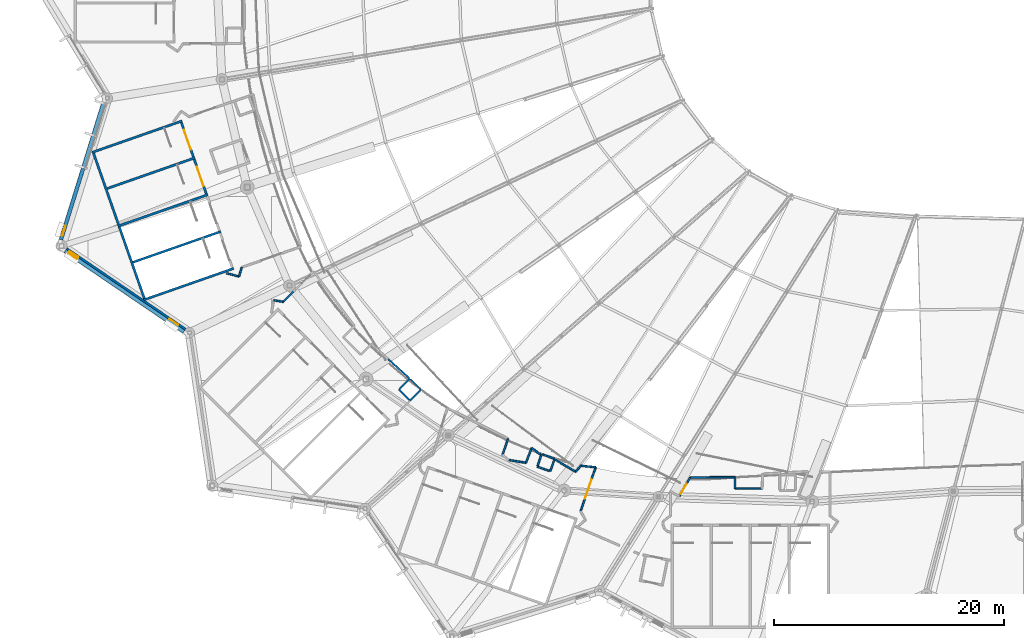
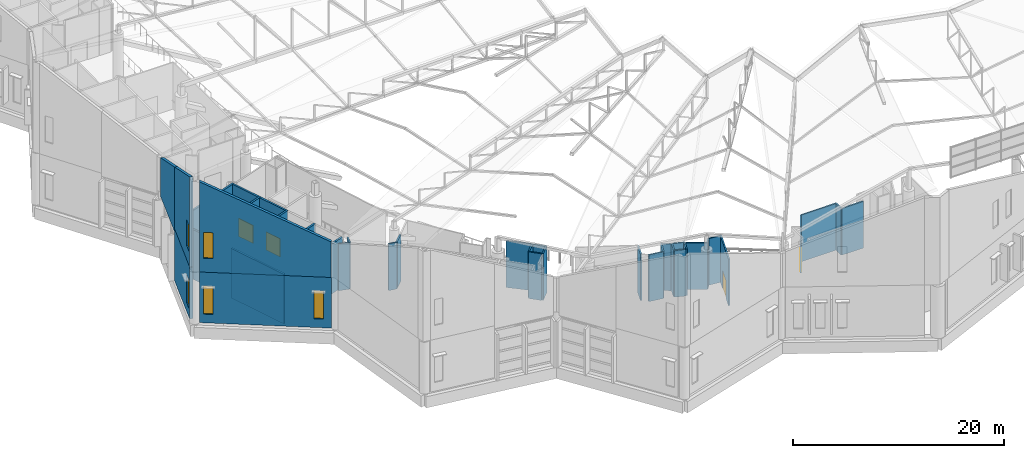
# One storey, part 244 of 344: 39 walls, 5 windows, 4 doors, 9 openings.
"""IFC4 building model written with IfcOpenShell, lengths in metres."""

from ifc_helpers import new_model, si_unit, direction, frame, frame_2d, origin, place, context, subcontext, project, spatial, polyline, rectangle, outline, extrude, material, layer, layer_set, type_object, element, fill, save


model = new_model("IFC4")

# Units and contexts
model_context = context("Model", 3, precision=1e-05, world=origin(), true_north=direction((0.0, 1.0)))
body_context = subcontext(model_context, "Body", "Model", "MODEL_VIEW")
ifc_project = project(units=[si_unit("LENGTHUNIT", "METRE"), si_unit("AREAUNIT", "SQUARE_METRE"), si_unit("VOLUMEUNIT", "CUBIC_METRE"), si_unit("PLANEANGLEUNIT", "RADIAN"), si_unit("MASSUNIT", "GRAM", prefix="KILO")], contexts=[model_context])

# Site, building, storey
site_placement = place(None, origin())
site = spatial("IfcSite", under=ifc_project, at=site_placement, CompositionType="ELEMENT")
building_placement = place(site_placement, origin())
building = spatial("IfcBuilding", under=site, at=building_placement, Name="Meseta Stadium", CompositionType="ELEMENT")
storey_placement = place(building_placement, frame((0.0, 0.0, 24.0)))
storey = spatial("IfcBuildingStorey", under=building, at=storey_placement, Name="L04", CompositionType="ELEMENT", Elevation=24.0)

# Walls
ifc_material_1 = material(Name="Concrete C40/50", Category="concrete")
ifc_layer_1 = layer(ifc_material_1, 0.199951171875)
ifc_layer_set_1 = layer_set([ifc_layer_1], Name="Core divider wall 200")
wall_type_1 = type_object("IfcWallType", Name="Core divider wall 200", PredefinedType="SHEAR", material=ifc_layer_set_1)
for number, where, z_axis, x_axis, name in (
    (1, (-94.505859375, -63.370849609375, 0.0), (0.0, 0.0, 1.0), (0.943878073457, 0.330294084791, 0.0), "Core 20 L04 stair A divider wall"),
    (2, (-92.260009765625, -69.789306640625, 0.0), (0.0, 0.0, 1.0), (0.943878073457, 0.330294084791, 0.0), "Core 20 L04 stair B divider wall"),
):
    element("IfcWall", number, at=place(storey_placement, frame(where, z_axis=z_axis, x_axis=x_axis)), inside=storey, type_object=wall_type_1, Name=name, PredefinedType="SHEAR", context=body_context, shape_type="SweptSolid", body=[
        extrude(rectangle(XDim=8.300048828125, YDim=0.199951171875, at=frame_2d((4.14990234375, 0.0))), origin(), (0.0, 0.0, 1.0), 5.75),
    ])
ifc_material_2 = material(Name="Concrete C40/50", Category="concrete")
ifc_layer_2 = layer(ifc_material_2, 0.199951171875)
ifc_layer_set_2 = layer_set([ifc_layer_2], Name="Core shaft wall 200")
wall_type_2 = type_object("IfcWallType", Name="Core shaft wall 200", PredefinedType="SHEAR", material=ifc_layer_set_2)
for number, where, z_axis, x_axis, name in (
    (3, (-95.62890625, -60.16162109375, 0.0), (0.0, 0.0, 1.0), (0.943887243331, 0.330267878966, 0.0), "Core 20 L04 stair wall A-side"),
    (4, (-93.3828125, -66.580078125, 0.0), (0.0, 0.0, 1.0), (0.943878073457, 0.330294084791, 0.0), "Core 20 L04 stair wall shared"),
    (5, (-91.136962890625, -72.998291015625, 0.0), (0.0, 0.0, 1.0), (0.943887243331, 0.330267878966, 0.0), "Core 20 L04 stair wall B-side"),
):
    element("IfcWall", number, at=place(storey_placement, frame(where, z_axis=z_axis, x_axis=x_axis)), inside=storey, type_object=wall_type_2, Name=name, PredefinedType="SHEAR", context=body_context, shape_type="SweptSolid", body=[
        extrude(rectangle(XDim=8.300048828125, YDim=0.199951171875, at=frame_2d((4.14990234375, 0.0))), origin(), (0.0, 0.0, 1.0), 5.75),
    ])
for number, where, z_axis, x_axis, name in (
    (6, (-95.50146484375, -60.222900390625, 0.0), (0.0, 0.0, 1.0), (0.330286164688, -0.943880844925, 0.0), "Core 20 L04 stair A outer end wall"),
    (7, (-93.255615234375, -66.641357421875, 0.0), (0.0, 0.0, 1.0), (0.330286164688, -0.943880844925, 0.0), "Core 20 L04 stair B outer end wall"),
):
    element("IfcWall", number, at=place(storey_placement, frame(where, z_axis=z_axis, x_axis=x_axis)), inside=storey, type_object=wall_type_2, Name=name, PredefinedType="SHEAR", context=body_context, shape_type="SweptSolid", body=[
        extrude(rectangle(XDim=6.60009765625, YDim=0.199951171875, at=frame_2d((3.300048828125, 0.0))), origin(), (0.0, 0.0, 1.0), 5.75),
    ])

# Wall, opening, door
wall_1_placement = place(storey_placement, frame((-87.85595703125, -57.547607421875, 0.0), z_axis=(0.0, 0.0, 1.0), x_axis=(0.330268863922, -0.943886898693, 0.0)))
wall_1 = element("IfcWall", 8, at=wall_1_placement, inside=storey, type_object=wall_type_2, Name="Core 20 L04 stair A1 inner end wall", PredefinedType="SHEAR", context=body_context, shape_type="SweptSolid", body=[
    extrude(rectangle(XDim=3.2001953125, YDim=0.199951171875, at=frame_2d((1.60009765625, 0.0))), origin(), (0.0, 0.0, 1.0), 5.75),
])
opening_1_placement = place(wall_1_placement, frame((0.699951171875, 0.0, 0.0)))
opening_1 = element("IfcOpeningElement", 9, at=opening_1_placement, cuts=wall_1, Name="Opening D1522", PredefinedType="OPENING", context=body_context, shape_type="SweptSolid", body=[
    extrude(rectangle(XDim=1.800048828125, YDim=2.10009765625, at=frame_2d((0.89990234375, 1.050048828125))), frame((0.0, 0.10986328125, 0.0), z_axis=(0.0, -1.0, 0.0), x_axis=(1.0, 0.0, 0.0)), (0.0, 0.0, 1.0), 0.219970703125),
])
ifc_material_3 = material(Name="Steel", Category="steel")
door_type_1 = type_object("IfcDoorType", Name="Stair door 1800x2100", OperationType="DOUBLE_DOOR_SINGLE_SWING", PredefinedType="DOOR", material=ifc_material_3)
door_1_placement = place(opening_1_placement, origin())
door_1 = element("IfcDoor", 10, at=door_1_placement, inside=storey, type_object=door_type_1, Name="Stair A1 door 20 L04", OperationType="DOUBLE_DOOR_SINGLE_SWING", OverallHeight=2.10009765625, OverallWidth=1.800048828125, PredefinedType="DOOR", context=body_context, shape_type="SweptSolid", body=[
    extrude(rectangle(XDim=1.800048828125, YDim=2.10009765625, at=frame_2d((0.89990234375, 1.050048828125))), frame((0.0, 0.02490234375, 0.0), z_axis=(0.0, -1.0, 0.0), x_axis=(1.0, 0.0, 0.0)), (0.0, 0.0, 1.0), 0.050048828125),
])
fill(opening_1, door_1)

wall_2_placement = place(storey_placement, frame((-86.73291015625, -60.7568359375, 0.0), z_axis=(0.0, 0.0, 1.0), x_axis=(0.330268863922, -0.943886898693, 0.0)))
wall_2 = element("IfcWall", 11, at=wall_2_placement, inside=storey, type_object=wall_type_2, Name="Core 20 L04 stair A2 inner end wall", PredefinedType="SHEAR", context=body_context, shape_type="SweptSolid", body=[
    extrude(rectangle(XDim=3.2001953125, YDim=0.199951171875, at=frame_2d((1.60009765625, 0.0))), origin(), (0.0, 0.0, 1.0), 5.75),
])
opening_2_placement = place(wall_2_placement, frame((0.699951171875, 0.0, 0.0)))
opening_2 = element("IfcOpeningElement", 12, at=opening_2_placement, cuts=wall_2, Name="Opening D1528", PredefinedType="OPENING", context=body_context, shape_type="SweptSolid", body=[
    extrude(rectangle(XDim=1.800048828125, YDim=2.10009765625, at=frame_2d((0.89990234375, 1.050048828125))), frame((0.0, 0.10986328125, 0.0), z_axis=(0.0, -1.0, 0.0), x_axis=(1.0, 0.0, 0.0)), (0.0, 0.0, 1.0), 0.219970703125),
])
door_2_placement = place(opening_2_placement, origin())
door_2 = element("IfcDoor", 13, at=door_2_placement, inside=storey, type_object=door_type_1, Name="Stair A2 door 20 L04", OperationType="DOUBLE_DOOR_SINGLE_SWING", OverallHeight=2.10009765625, OverallWidth=1.800048828125, PredefinedType="DOOR", context=body_context, shape_type="SweptSolid", body=[
    extrude(rectangle(XDim=1.800048828125, YDim=2.10009765625, at=frame_2d((0.89990234375, 1.050048828125))), frame((0.0, 0.02490234375, 0.0), z_axis=(0.0, -1.0, 0.0), x_axis=(1.0, 0.0, 0.0)), (0.0, 0.0, 1.0), 0.050048828125),
])
fill(opening_2, door_2)

# Walls
ifc_material_4 = material(Name="Masonry blockwork", Category="masonry")
ifc_layer_3 = layer(ifc_material_4, 0.14990234375)
ifc_layer_set_3 = layer_set([ifc_layer_3], Name="Partition 150")
wall_type_3 = type_object("IfcWallType", Name="Partition 150", PredefinedType="PARTITIONING", material=ifc_layer_set_3)
wall_3_placement = place(storey_placement, frame((-83.91943359375, -70.673583984375, 0.0), z_axis=(0.0, 0.0, 1.0), x_axis=(0.966256491935, -0.257581815726, 0.0)))
element("IfcWall", 14, at=wall_3_placement, inside=storey, type_object=wall_type_3, Name="Stair vestibule wall L04 core 20", PredefinedType="PARTITIONING", context=body_context, shape_type="SweptSolid", body=[
    extrude(rectangle(XDim=1.1279296875, YDim=0.14990234375, at=frame_2d((0.56396484375, 0.0))), origin(), (0.0, 0.0, 1.0), 5.39990234375),
])
wall_4_placement = place(storey_placement, frame((-82.82958984375, -70.964111328125, 0.0), z_axis=(0.0, 0.0, 1.0), x_axis=(0.273283276566, 0.961933599969, 0.0)))
element("IfcWall", 15, at=wall_4_placement, inside=storey, type_object=wall_type_3, Name="Stair vestibule wall L04 core 20", PredefinedType="PARTITIONING", context=body_context, shape_type="SweptSolid", body=[
    extrude(rectangle(XDim=0.829833984375, YDim=0.14990234375, at=frame_2d((0.4150390625, 0.0))), origin(), (0.0, 0.0, 1.0), 5.39990234375),
])
for number, where, z_axis, x_axis, name in (
    (16, (-68.917724609375, -80.802001953125, 0.0), (0.0, 0.0, 1.0), (0.707106781187, -0.707106781187, 0.0), "Pressurisation shaft wall L04 core 21"),
    (17, (-67.963134765625, -81.756591796875, 0.0), (0.0, 0.0, 1.0), (0.707106781187, 0.707106781187, 0.0), "Pressurisation shaft wall L04 core 21"),
    (18, (-67.008544921875, -80.802001953125, 0.0), (0.0, 0.0, 1.0), (-0.707106781187, 0.707106781187, 0.0), "Pressurisation shaft wall L04 core 21"),
):
    element("IfcWall", number, at=place(storey_placement, frame(where, z_axis=z_axis, x_axis=x_axis)), inside=storey, type_object=wall_type_3, Name=name, PredefinedType="PARTITIONING", context=body_context, shape_type="SweptSolid", body=[
        extrude(rectangle(XDim=1.275146484375, YDim=0.14990234375, at=frame_2d((0.6376953125, 0.0))), origin(), (0.0, 0.0, 1.0), 5.39990234375),
    ])
wall_5_placement = place(storey_placement, frame((-67.963134765625, -79.847412109375, 0.0), z_axis=(0.0, 0.0, 1.0), x_axis=(-0.707202523759, -0.707011025648, 0.0)))
element("IfcWall", 19, at=wall_5_placement, inside=storey, type_object=wall_type_3, Name="Pressurisation shaft wall L04 core 21", PredefinedType="PARTITIONING", context=body_context, shape_type="SweptSolid", body=[
    extrude(rectangle(XDim=1.27490234375, YDim=0.14990234375, at=frame_2d((0.637451171875, 0.0))), origin(), (0.0, 0.0, 1.0), 5.39990234375),
])
wall_6_placement = place(storey_placement, frame((-68.03369140625, -79.7919921875, 0.0), z_axis=(0.0, 0.0, 1.0), x_axis=(-0.742586219179, 0.669750481213, 0.0)))
element("IfcWall", 20, at=wall_6_placement, inside=storey, type_object=wall_type_3, Name="Stair vestibule wall L04 core 21", PredefinedType="PARTITIONING", context=body_context, shape_type="SweptSolid", body=[
    extrude(rectangle(XDim=2.45361328125, YDim=0.14990234375, at=frame_2d((1.226806640625, 0.0))), origin(), (0.0, 0.0, 1.0), 5.39990234375),
])
wall_7_placement = place(storey_placement, frame((-78.090576171875, -72.268798828125, 0.0), z_axis=(0.0, 0.0, 1.0), x_axis=(-0.707106781187, -0.707106781187, 0.0)))
element("IfcWall", 21, at=wall_7_placement, inside=storey, type_object=wall_type_3, Name="Stair vestibule wall L04 core 21", PredefinedType="PARTITIONING", context=body_context, shape_type="SweptSolid", body=[
    extrude(rectangle(XDim=1.271728515625, YDim=0.14990234375, at=frame_2d((0.6357421875, 0.0))), origin(), (0.0, 0.0, 1.0), 5.39990234375),
])
wall_8_placement = place(storey_placement, frame((-78.98974609375, -73.16796875, 0.0), z_axis=(0.0, 0.0, 1.0), x_axis=(-0.985216075357, 0.171316329805, 0.0)))
element("IfcWall", 22, at=wall_8_placement, inside=storey, type_object=wall_type_3, Name="Stair vestibule wall L04 core 21", PredefinedType="PARTITIONING", context=body_context, shape_type="SweptSolid", body=[
    extrude(rectangle(XDim=0.829345703125, YDim=0.14990234375, at=frame_2d((0.41455078125, 0.0))), origin(), (0.0, 0.0, 1.0), 5.39990234375),
])
wall_9_placement = place(storey_placement, frame((-56.87451171875, -87.51171875, 0.0), z_axis=(0.0, 0.0, 1.0), x_axis=(0.943868506598, -0.330321422636, 0.0)))
element("IfcWall", 23, at=wall_9_placement, inside=storey, type_object=wall_type_3, Name="Pressurisation shaft wall L04 core 22", PredefinedType="PARTITIONING", context=body_context, shape_type="SweptSolid", body=[
    extrude(rectangle(XDim=1.125, YDim=0.14990234375, at=frame_2d((0.5625, 0.0))), origin(), (0.0, 0.0, 1.0), 5.39990234375),
])
wall_10_placement = place(storey_placement, frame((-55.741943359375, -87.907958984375, 0.0), z_axis=(0.0, 0.0, 1.0), x_axis=(0.330229022821, 0.94390083827, 0.0)))
element("IfcWall", 24, at=wall_10_placement, inside=storey, type_object=wall_type_3, Name="Pressurisation shaft wall L04 core 22", PredefinedType="PARTITIONING", context=body_context, shape_type="SweptSolid", body=[
    extrude(rectangle(XDim=1.074951171875, YDim=0.14990234375, at=frame_2d((0.53759765625, 0.0))), origin(), (0.0, 0.0, 1.0), 5.39990234375),
])
wall_11_placement = place(storey_placement, frame((-55.362060546875, -86.822509765625, 0.0), z_axis=(0.0, 0.0, 1.0), x_axis=(-0.94389218008, 0.330253769674, 0.0)))
element("IfcWall", 25, at=wall_11_placement, inside=storey, type_object=wall_type_3, Name="Pressurisation shaft wall L04 core 22", PredefinedType="PARTITIONING", context=body_context, shape_type="SweptSolid", body=[
    extrude(rectangle(XDim=1.125244140625, YDim=0.14990234375, at=frame_2d((0.5625, 0.0))), origin(), (0.0, 0.0, 1.0), 5.39990234375),
])
wall_12_placement = place(storey_placement, frame((-56.49462890625, -86.42626953125, 0.0), z_axis=(0.0, 0.0, 1.0), x_axis=(-0.330431350225, -0.943830028548, 0.0)))
element("IfcWall", 26, at=wall_12_placement, inside=storey, type_object=wall_type_3, Name="Pressurisation shaft wall L04 core 22", PredefinedType="PARTITIONING", context=body_context, shape_type="SweptSolid", body=[
    extrude(rectangle(XDim=1.074951171875, YDim=0.14990234375, at=frame_2d((0.53759765625, 0.0))), origin(), (0.0, 0.0, 1.0), 5.39990234375),
])

# Wall, opening, door
wall_13_placement = place(storey_placement, frame((-53.097900390625, -91.39306640625, 0.0), z_axis=(0.0, 0.0, 1.0), x_axis=(0.323691942417, 0.946162526427, 0.0)))
wall_13 = element("IfcWall", 27, at=wall_13_placement, inside=storey, type_object=wall_type_3, Name="Stair vestibule wall L04 core 22", PredefinedType="PARTITIONING", context=body_context, shape_type="SweptSolid", body=[
    extrude(rectangle(XDim=4.047119140625, YDim=0.14990234375, at=frame_2d((2.0234375, 0.0))), origin(), (0.0, 0.0, 1.0), 5.39990234375),
])
opening_3_placement = place(wall_13_placement, frame((1.14990234375, 0.0, 0.0)))
opening_3 = element("IfcOpeningElement", 28, at=opening_3_placement, cuts=wall_13, Name="Opening D1566", PredefinedType="OPENING", context=body_context, shape_type="SweptSolid", body=[
    extrude(rectangle(XDim=1.800048828125, YDim=2.10009765625, at=frame_2d((0.89990234375, 1.050048828125))), frame((0.0, 0.0849609375, 0.0), z_axis=(0.0, -1.0, 0.0), x_axis=(1.0, 0.0, 0.0)), (0.0, 0.0, 1.0), 0.169921875),
])
ifc_material_5 = material(Name="Steel", Category="steel")
door_type_2 = type_object("IfcDoorType", Name="Fire double door 1800x2100 EI2 60", OperationType="DOUBLE_DOOR_SINGLE_SWING", PredefinedType="DOOR", material=ifc_material_5)
door_3_placement = place(opening_3_placement, origin())
door_3 = element("IfcDoor", 29, at=door_3_placement, inside=storey, type_object=door_type_2, Name="Stair vestibule door L04 core 22", OperationType="DOUBLE_DOOR_SINGLE_SWING", OverallHeight=2.10009765625, OverallWidth=1.800048828125, PredefinedType="DOOR", context=body_context, shape_type="SweptSolid", body=[
    extrude(rectangle(XDim=1.800048828125, YDim=2.10009765625, at=frame_2d((0.89990234375, 1.050048828125))), frame((0.0, 0.02490234375, 0.0), z_axis=(0.0, -1.0, 0.0), x_axis=(1.0, 0.0, 0.0)), (0.0, 0.0, 1.0), 0.050048828125),
])
fill(opening_3, door_3)

# Walls
wall_14_placement = place(storey_placement, frame((-51.787841796875, -87.563720703125, 0.0), z_axis=(0.0, 0.0, 1.0), x_axis=(-0.99453110872, 0.104440766885, 0.0)))
element("IfcWall", 30, at=wall_14_placement, inside=storey, type_object=wall_type_3, Name="Stair vestibule wall L04 core 22", PredefinedType="PARTITIONING", context=body_context, shape_type="SweptSolid", body=[
    extrude(rectangle(XDim=1.302001953125, YDim=0.14990234375, at=frame_2d((0.65087890625, 0.0))), origin(), (0.0, 0.0, 1.0), 5.39990234375),
])
wall_15_placement = place(storey_placement, frame((-53.082763671875, -87.427734375, 0.0), z_axis=(0.0, 0.0, 1.0), x_axis=(-0.629331412812, -0.777137036081, 0.0)))
element("IfcWall", 31, at=wall_15_placement, inside=storey, type_object=wall_type_3, Name="Stair vestibule wall L04 core 22", PredefinedType="PARTITIONING", context=body_context, shape_type="SweptSolid", body=[
    extrude(rectangle(XDim=0.685546875, YDim=0.14990234375, at=frame_2d((0.3427734375, 0.0))), origin(), (0.0, 0.0, 1.0), 5.39990234375),
])
wall_16_placement = place(storey_placement, frame((-53.51416015625, -87.96044921875, 0.0), z_axis=(0.0, 0.0, 1.0), x_axis=(-0.863257827741, 0.504763234442, 0.0)))
element("IfcWall", 32, at=wall_16_placement, inside=storey, type_object=wall_type_3, Name="Stair vestibule wall L04 core 22", PredefinedType="PARTITIONING", context=body_context, shape_type="SweptSolid", body=[
    extrude(rectangle(XDim=2.05810546875, YDim=0.14990234375, at=frame_2d((1.029052734375, 0.0))), origin(), (0.0, 0.0, 1.0), 5.39990234375),
])
wall_17_placement = place(storey_placement, frame((-56.603759765625, -86.451416015625, 0.0), z_axis=(0.0, 0.0, 1.0), x_axis=(-0.802443302503, 0.596728368915, 0.0)))
element("IfcWall", 33, at=wall_17_placement, inside=storey, type_object=wall_type_3, Name="Stair vestibule wall L04 core 22", PredefinedType="PARTITIONING", context=body_context, shape_type="SweptSolid", body=[
    extrude(rectangle(XDim=0.944580078125, YDim=0.14990234375, at=frame_2d((0.47216796875, 0.0))), origin(), (0.0, 0.0, 1.0), 5.39990234375),
])
wall_18_placement = place(storey_placement, frame((-57.36181640625, -85.8876953125, 0.0), z_axis=(0.0, 0.0, 1.0), x_axis=(-0.365483186469, -0.930817941602, 0.0)))
element("IfcWall", 34, at=wall_18_placement, inside=storey, type_object=wall_type_3, Name="Stair vestibule wall L04 core 22", PredefinedType="PARTITIONING", context=body_context, shape_type="SweptSolid", body=[
    extrude(rectangle(XDim=1.384033203125, YDim=0.14990234375, at=frame_2d((0.69189453125, 0.0))), origin(), (0.0, 0.0, 1.0), 5.39990234375),
])
wall_19_placement = place(storey_placement, frame((-57.86767578125, -87.176025390625, 0.0), z_axis=(0.0, 0.0, 1.0), x_axis=(-0.987191793267, 0.159537968231, 0.0)))
element("IfcWall", 35, at=wall_19_placement, inside=storey, type_object=wall_type_3, Name="Stair vestibule wall L04 core 22", PredefinedType="PARTITIONING", context=body_context, shape_type="SweptSolid", body=[
    extrude(rectangle(XDim=1.50732421875, YDim=0.14990234375, at=frame_2d((0.753662109375, 0.0))), origin(), (0.0, 0.0, 1.0), 5.39990234375),
])
wall_20_placement = place(storey_placement, frame((-59.902099609375, -86.4755859375, 0.0), z_axis=(0.0, 0.0, 1.0), x_axis=(0.330240262463, 0.943896905943, 0.0)))
element("IfcWall", 36, at=wall_20_placement, inside=storey, type_object=wall_type_3, Name="Stair vestibule wall L04 core 22", PredefinedType="PARTITIONING", context=body_context, shape_type="SweptSolid", body=[
    extrude(rectangle(XDim=1.480712890625, YDim=0.14990234375, at=frame_2d((0.740234375, 0.0))), origin(), (0.0, 0.0, 1.0), 5.39990234375),
])
wall_21_placement = place(storey_placement, frame((-37.30712890625, -89.425048828125, 0.0), z_axis=(0.0, 0.0, 1.0), x_axis=(-0.999999994604, 0.00010388531, 0.0)))
element("IfcWall", 37, at=wall_21_placement, inside=storey, type_object=wall_type_3, Name="Stair vestibule wall L04 core 23", PredefinedType="PARTITIONING", context=body_context, shape_type="SweptSolid", body=[
    extrude(rectangle(XDim=2.35009765625, YDim=0.14990234375, at=frame_2d((1.175048828125, 0.0))), origin(), (0.0, 0.0, 1.0), 5.39990234375),
])
wall_22_placement = place(storey_placement, frame((-39.6572265625, -89.4248046875, 0.0), z_axis=(0.0, 0.0, 1.0), x_axis=(-0.001220106461, 0.99999925567, 0.0)))
element("IfcWall", 38, at=wall_22_placement, inside=storey, type_object=wall_type_3, Name="Stair vestibule wall L04 core 23", PredefinedType="PARTITIONING", context=body_context, shape_type="SweptSolid", body=[
    extrude(rectangle(XDim=1.00048828125, YDim=0.14990234375, at=frame_2d((0.500244140625, 0.0))), origin(), (0.0, 0.0, 1.0), 5.39990234375),
])
wall_23_placement = place(storey_placement, frame((-39.658447265625, -88.42431640625, 0.0), z_axis=(0.0, 0.0, 1.0), x_axis=(-0.999960673603, -0.008868553847, 0.0)))
element("IfcWall", 39, at=wall_23_placement, inside=storey, type_object=wall_type_3, Name="Stair vestibule wall L04 core 23", PredefinedType="PARTITIONING", context=body_context, shape_type="SweptSolid", body=[
    extrude(rectangle(XDim=3.9091796875, YDim=0.14990234375, at=frame_2d((1.95458984375, 0.0))), origin(), (0.0, 0.0, 1.0), 5.39990234375),
])

# Wall, opening, door
wall_24_placement = place(storey_placement, frame((-43.5673828125, -88.458984375, 0.0), z_axis=(0.0, 0.0, 1.0), x_axis=(-0.500593625466, -0.865682402584, 0.0)))
wall_24 = element("IfcWall", 40, at=wall_24_placement, inside=storey, type_object=wall_type_3, Name="Stair vestibule wall L04 core 23", PredefinedType="PARTITIONING", context=body_context, shape_type="SweptSolid", body=[
    extrude(rectangle(XDim=1.891845703125, YDim=0.14990234375, at=frame_2d((0.94580078125, 0.0))), origin(), (0.0, 0.0, 1.0), 5.39990234375),
])
opening_4_placement = place(wall_24_placement, frame((0.64990234375, 0.0, 0.0)))
opening_4 = element("IfcOpeningElement", 41, at=opening_4_placement, cuts=wall_24, Name="Opening D1571", PredefinedType="OPENING", context=body_context, shape_type="SweptSolid", body=[
    extrude(rectangle(XDim=1.0, YDim=2.10009765625, at=frame_2d((0.5, 1.050048828125))), frame((0.0, 0.0849609375, 0.0), z_axis=(0.0, -1.0, 0.0), x_axis=(1.0, 0.0, 0.0)), (0.0, 0.0, 1.0), 0.169921875),
])
ifc_material_6 = material(Name="Steel", Category="steel")
door_type_3 = type_object("IfcDoorType", Name="Fire door 1000x2100 EI2 60", OperationType="NOTDEFINED", PredefinedType="DOOR", material=ifc_material_6)
door_4_placement = place(opening_4_placement, origin())
door_4 = element("IfcDoor", 42, at=door_4_placement, inside=storey, type_object=door_type_3, Name="Stair vestibule door L04 core 23", OperationType="SINGLE_SWING_RIGHT", OverallHeight=2.10009765625, OverallWidth=1.0, PredefinedType="DOOR", context=body_context, shape_type="SweptSolid", body=[
    extrude(rectangle(XDim=1.0, YDim=2.10009765625, at=frame_2d((0.5, 1.050048828125))), frame((0.0, 0.02490234375, 0.0), z_axis=(0.0, -1.0, 0.0), x_axis=(1.0, 0.0, 0.0)), (0.0, 0.0, 1.0), 0.050048828125),
])
fill(opening_4, door_4)

# Wall, opening, window
ifc_material_7 = material(Name="White precast concrete C40/50", Category="concrete")
ifc_layer_4 = layer(ifc_material_7, 0.320068359375)
ifc_layer_set_4 = layer_set([ifc_layer_4], Name="Pleated fascia panel 320 raked")
wall_type_4 = type_object("IfcWallType", Name="Pleated fascia panel 320 raked", PredefinedType="SOLIDWALL", material=ifc_layer_set_4)
wall_25_placement = place(storey_placement, frame((-98.333740234375, -67.7607421875, 6.0), z_axis=(0.0, 0.0, 1.0), x_axis=(0.296876677413, 0.954915827918, 0.0)))
wall_25 = element("IfcWall", 43, at=wall_25_placement, inside=storey, type_object=wall_type_4, Name="Pleated fascia panel L04 F37", PredefinedType="SOLIDWALL", context=body_context, shape_type="SweptSolid", body=[
    extrude(outline(polyline([(0.0, 0.0), (6.51318359375, 0.0), (6.51318359375, 7.147705078125), (0.0, 10.4375), (0.0, 0.0)])), frame((0.0, 0.16015625, 0.0), z_axis=(0.0, -1.0, 0.0), x_axis=(1.0, 0.0, 0.0)), (0.0, 0.0, 1.0), 0.320068359375),
])
opening_5_placement = place(wall_25_placement, frame((0.363037109375, 0.0, 1.60009765625)))
opening_5 = element("IfcOpeningElement", 44, at=opening_5_placement, cuts=wall_25, Name="Opening W197", PredefinedType="OPENING", context=body_context, shape_type="SweptSolid", body=[
    extrude(rectangle(XDim=0.89990234375, YDim=3.0, at=frame_2d((0.449951171875, 1.5))), frame((0.0, 0.169921875, 0.0), z_axis=(0.0, -1.0, 0.0), x_axis=(1.0, 0.0, 0.0)), (0.0, 0.0, 1.0), 0.340087890625),
])
ifc_material_8 = material(Name="Aluminium", Category="aluminium")
window_type_1 = type_object("IfcWindowType", Name="Slot window 900x3000", PartitioningType="SINGLE_PANEL", PredefinedType="WINDOW", material=ifc_material_8)
window_1_placement = place(opening_5_placement, origin())
window_1 = element("IfcWindow", 45, at=window_1_placement, inside=storey, type_object=window_type_1, Name="Slot window L04 F37.6", OverallHeight=3.0, OverallWidth=0.89990234375, PartitioningType="SINGLE_PANEL", PredefinedType="WINDOW", context=body_context, shape_type="SweptSolid", body=[
    extrude(rectangle(XDim=0.89990234375, YDim=3.0, at=frame_2d((0.449951171875, 1.5))), frame((0.0, 0.030029296875, 0.0), z_axis=(0.0, -1.0, 0.0), x_axis=(1.0, 0.0, 0.0)), (0.0, 0.0, 1.0), 0.06005859375),
])
fill(opening_5, window_1)

# Wall
wall_26_placement = place(storey_placement, frame((-96.400146484375, -61.541259765625, 5.64990234375), z_axis=(0.0, 0.0, 1.0), x_axis=(0.29687527919, 0.954916262615, 0.0)))
element("IfcWall", 46, at=wall_26_placement, inside=storey, type_object=wall_type_4, Name="Pleated facade panel above atrium F37", PredefinedType="SOLIDWALL", context=body_context, shape_type="SweptSolid", body=[
    extrude(outline(polyline([(0.0, 0.0), (6.0, 0.0), (6.0, 4.46728515625), (0.0, 7.497802734375), (0.0, 0.0)])), frame((0.0, 0.16015625, 0.0), z_axis=(0.0, -1.0, 0.0), x_axis=(1.0, 0.0, 0.0)), (0.0, 0.0, 1.0), 0.320068359375),
])

# Wall, opening, window
wall_27_placement = place(storey_placement, frame((-87.63525390625, -75.769775390625, 6.0), z_axis=(0.0, 0.0, 1.0), x_axis=(-0.827480954447, 0.561493784496, 0.0)))
wall_27 = element("IfcWall", 47, at=wall_27_placement, inside=storey, type_object=wall_type_4, Name="Pleated fascia panel L04 F38", PredefinedType="SOLIDWALL", context=body_context, shape_type="SweptSolid", body=[
    extrude(outline(polyline([(0.0, 0.0), (12.51318359375, 0.0), (12.51318359375, 10.4375), (0.0, 4.1171875), (0.0, 0.0)])), frame((0.0, 0.16015625, 0.0), z_axis=(0.0, -1.0, 0.0), x_axis=(1.0, 0.0, 0.0)), (0.0, 0.0, 1.0), 0.320068359375),
])
opening_6_placement = place(wall_27_placement, frame((11.250244140625, 0.0, 1.60009765625)))
opening_6 = element("IfcOpeningElement", 48, at=opening_6_placement, cuts=wall_27, Name="Opening W198", PredefinedType="OPENING", context=body_context, shape_type="SweptSolid", body=[
    extrude(rectangle(XDim=0.89990234375, YDim=3.0, at=frame_2d((0.449951171875, 1.5))), frame((0.0, 0.169921875, 0.0), z_axis=(0.0, -1.0, 0.0), x_axis=(1.0, 0.0, 0.0)), (0.0, 0.0, 1.0), 0.340087890625),
])
window_2_placement = place(opening_6_placement, origin())
window_2 = element("IfcWindow", 49, at=window_2_placement, inside=storey, type_object=window_type_1, Name="Slot window L04 F38.6", OverallHeight=3.0, OverallWidth=0.89990234375, PartitioningType="SINGLE_PANEL", PredefinedType="WINDOW", context=body_context, shape_type="SweptSolid", body=[
    extrude(rectangle(XDim=0.89990234375, YDim=3.0, at=frame_2d((0.449951171875, 1.5))), frame((0.0, 0.030029296875, 0.0), z_axis=(0.0, -1.0, 0.0), x_axis=(1.0, 0.0, 0.0)), (0.0, 0.0, 1.0), 0.06005859375),
])
fill(opening_6, window_2)

ifc_material_9 = material(Name="White precast concrete C40/50", Category="concrete")
ifc_layer_5 = layer(ifc_material_9, 0.320068359375)
ifc_layer_set_5 = layer_set([ifc_layer_5], Name="Pleated panel wall 320")
wall_type_5 = type_object("IfcWallType", Name="Pleated panel wall 320", PredefinedType="SOLIDWALL", material=ifc_layer_set_5)
wall_28_placement = place(storey_placement, frame((-98.333740234375, -67.7607421875, 0.0), z_axis=(0.0, 0.0, 1.0), x_axis=(0.296876677413, 0.954915827918, 0.0)))
wall_28 = element("IfcWall", 50, at=wall_28_placement, inside=storey, type_object=wall_type_5, Name="Pleated facade panel L04 F37", PredefinedType="SOLIDWALL", context=body_context, shape_type="SweptSolid", body=[
    extrude(rectangle(XDim=6.51318359375, YDim=0.320068359375, at=frame_2d((3.256591796875, 0.0))), origin(), (0.0, 0.0, 1.0), 6.0),
])
opening_7_placement = place(wall_28_placement, frame((0.363037109375, 0.0, 1.0)))
opening_7 = element("IfcOpeningElement", 51, at=opening_7_placement, cuts=wall_28, Name="Opening W196", PredefinedType="OPENING", context=body_context, shape_type="SweptSolid", body=[
    extrude(rectangle(XDim=0.89990234375, YDim=3.25, at=frame_2d((0.449951171875, 1.625))), frame((0.0, 0.169921875, 0.0), z_axis=(0.0, -1.0, 0.0), x_axis=(1.0, 0.0, 0.0)), (0.0, 0.0, 1.0), 0.340087890625),
])
ifc_material_10 = material(Name="Aluminium", Category="aluminium")
window_type_2 = type_object("IfcWindowType", Name="Slot window 900x3250", PartitioningType="SINGLE_PANEL", PredefinedType="WINDOW", material=ifc_material_10)
window_3_placement = place(opening_7_placement, origin())
window_3 = element("IfcWindow", 52, at=window_3_placement, inside=storey, type_object=window_type_2, Name="Slot window L04 F37.6", OverallHeight=3.25, OverallWidth=0.89990234375, PartitioningType="SINGLE_PANEL", PredefinedType="WINDOW", context=body_context, shape_type="SweptSolid", body=[
    extrude(rectangle(XDim=0.89990234375, YDim=3.25, at=frame_2d((0.449951171875, 1.625))), frame((0.0, 0.030029296875, 0.0), z_axis=(0.0, -1.0, 0.0), x_axis=(1.0, 0.0, 0.0)), (0.0, 0.0, 1.0), 0.06005859375),
])
fill(opening_7, window_3)

# Wall, openings, windows
wall_29_placement = place(storey_placement, frame((-87.52294921875, -75.604248046875, 0.0), z_axis=(0.0, 0.0, 1.0), x_axis=(-0.827480954447, 0.561493784496, 0.0)))
wall_29 = element("IfcWall", 53, at=wall_29_placement, inside=storey, type_object=wall_type_5, Name="Pleated facade panel L04 F38", PredefinedType="SOLIDWALL", context=body_context, shape_type="SweptSolid", body=[
    extrude(rectangle(XDim=12.51318359375, YDim=0.320068359375, at=frame_2d((6.256591796875, 0.0))), origin(), (0.0, 0.0, 1.0), 6.0),
])
opening_8_placement = place(wall_29_placement, frame((0.750244140625, 0.0, 1.0)))
opening_8 = element("IfcOpeningElement", 54, at=opening_8_placement, cuts=wall_29, Name="Opening W215", PredefinedType="OPENING", context=body_context, shape_type="SweptSolid", body=[
    extrude(rectangle(XDim=0.89990234375, YDim=3.25, at=frame_2d((0.449951171875, 1.625))), frame((0.0, 0.169921875, 0.0), z_axis=(0.0, -1.0, 0.0), x_axis=(1.0, 0.0, 0.0)), (0.0, 0.0, 1.0), 0.340087890625),
])
opening_9_placement = place(wall_29_placement, frame((11.250244140625, 0.0, 1.0)))
opening_9 = element("IfcOpeningElement", 55, at=opening_9_placement, cuts=wall_29, Name="Opening W199", PredefinedType="OPENING", context=body_context, shape_type="SweptSolid", body=[
    extrude(rectangle(XDim=0.89990234375, YDim=3.25, at=frame_2d((0.449951171875, 1.625))), frame((0.0, 0.169921875, 0.0), z_axis=(0.0, -1.0, 0.0), x_axis=(1.0, 0.0, 0.0)), (0.0, 0.0, 1.0), 0.340087890625),
])
window_4_placement = place(opening_8_placement, origin())
window_4 = element("IfcWindow", 56, at=window_4_placement, inside=storey, type_object=window_type_2, Name="Slot window L04 F38.1", OverallHeight=3.25, OverallWidth=0.89990234375, PartitioningType="SINGLE_PANEL", PredefinedType="WINDOW", context=body_context, shape_type="SweptSolid", body=[
    extrude(rectangle(XDim=0.89990234375, YDim=3.25, at=frame_2d((0.449951171875, 1.625))), frame((0.0, 0.030029296875, 0.0), z_axis=(0.0, -1.0, 0.0), x_axis=(1.0, 0.0, 0.0)), (0.0, 0.0, 1.0), 0.06005859375),
])
fill(opening_8, window_4)
window_5_placement = place(opening_9_placement, origin())
window_5 = element("IfcWindow", 57, at=window_5_placement, inside=storey, type_object=window_type_2, Name="Slot window L04 F38.6", OverallHeight=3.25, OverallWidth=0.89990234375, PartitioningType="SINGLE_PANEL", PredefinedType="WINDOW", context=body_context, shape_type="SweptSolid", body=[
    extrude(rectangle(XDim=0.89990234375, YDim=3.25, at=frame_2d((0.449951171875, 1.625))), frame((0.0, 0.030029296875, 0.0), z_axis=(0.0, -1.0, 0.0), x_axis=(1.0, 0.0, 0.0)), (0.0, 0.0, 1.0), 0.06005859375),
])
fill(opening_9, window_5)

save(model, "model.ifc")
